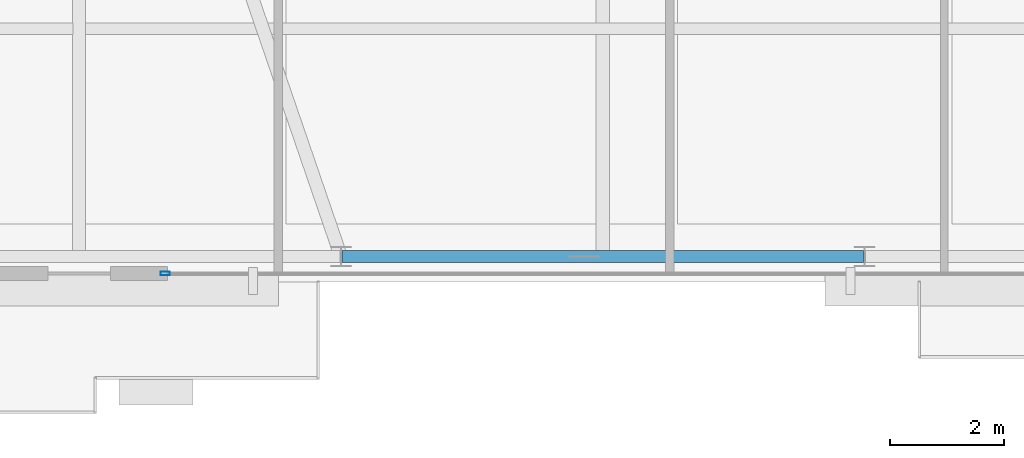
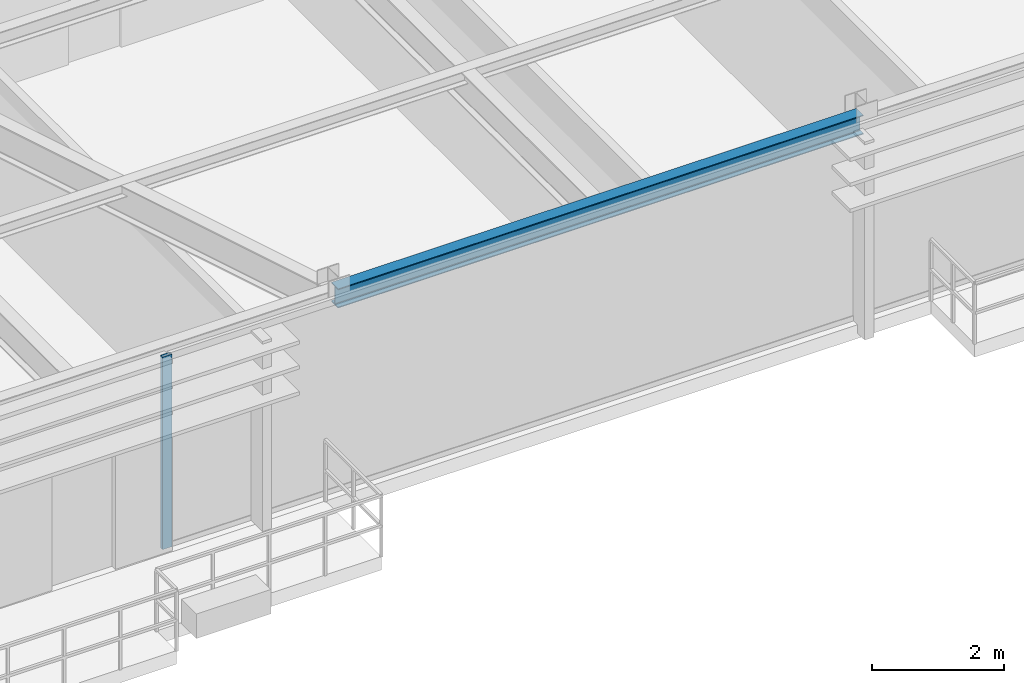
# One storey, part 8 of 30: 1 beam, 1 member, 1 element without a shape of its own.
"""IFC4 building model written with IfcOpenShell, lengths in metres."""

from ifc_helpers import new_model, si_unit, direction, frame, origin, origin_2d, place, context, subcontext, project, spatial, hollow_rectangle, i_section, extrude, source, transform, mapped, material, layer, layer_set, material_profile, profile_set, type_object, type_shapes, element, aggregate, save


model = new_model("IFC4")

# Units and contexts
model_context = context("Model", 3, precision=1e-05, world=origin(), true_north=direction((0.0, 1.0)))
body_context = subcontext(model_context, "Body", "Model", "MODEL_VIEW")
ifc_project = project(units=[si_unit("LENGTHUNIT", "METRE"), si_unit("AREAUNIT", "SQUARE_METRE"), si_unit("VOLUMEUNIT", "CUBIC_METRE"), si_unit("PLANEANGLEUNIT", "RADIAN"), si_unit("MASSUNIT", "GRAM", prefix="KILO")], contexts=[model_context])

# Site, building, storey
site_placement = place(None, origin())
site = spatial("IfcSite", under=ifc_project, at=site_placement, CompositionType="ELEMENT")
building_placement = place(site_placement, origin())
building = spatial("IfcBuilding", under=site, at=building_placement, Name="Varnel Quay Broadcast Tower", CompositionType="ELEMENT")
storey_placement = place(building_placement, frame((0.0, 0.0, 247.0)))
storey = spatial("IfcBuildingStorey", under=building, at=storey_placement, Name="L61", CompositionType="ELEMENT", Elevation=247.0)

# Beam
ifc_material_1 = material(Name="Structural Steel CSA G40.21 350W", Category="steel")
ifc_material_profile_1 = material_profile(ifc_material_1, i_section(OverallWidth=0.205078125, OverallDepth=0.35400390625, WebThickness=0.009521484375, FlangeThickness=0.016845703125, FilletRadius=0.012939453125, at=origin_2d()), Name="W360X79")
ifc_profile_set_1 = profile_set([ifc_material_profile_1], Name="Structural Steel CSA G40.21 350W")
beam_type = type_object("IfcBeamType", Name="Beam_W360X79", PredefinedType="SPANDREL", material=ifc_profile_set_1)
shared_shape_1 = source(origin(), body_context, "Body", "SweptSolid", [
    extrude(i_section(OverallWidth=0.205078125, OverallDepth=0.35400390625, WebThickness=0.009521484375, FlangeThickness=0.016845703125, FilletRadius=0.012939453125, at=origin_2d()), origin(), (0.0, 0.0, 1.0), 9.16015625),
])
type_shapes(beam_type, [shared_shape_1])
beam_placement = place(storey_placement, frame((29.419921875, 10.64990234375, 3.373046875), z_axis=(1.0, 0.0, 0.0), x_axis=(0.0, 1.0, 0.0)))
element("IfcBeam", 1, at=beam_placement, inside=storey, type_object=beam_type, Name="L61 South Spandrel TC-S2-TC-S3", PredefinedType="SPANDREL", context=body_context, shape_type="MappedRepresentation", body=[
    mapped(shared_shape_1, transform((0.0, 0.0, 0.0), x_axis=(1.0, 0.0, 0.0), y_axis=(0.0, 1.0, 0.0), z_axis=(0.0, 0.0, 1.0), scale=1.0)),
])

# Curtain wall, member
ifc_material_2 = material(Name="Anodised Bronze Aluminium 6063-T6", Category="aluminium")
ifc_layer = layer(ifc_material_2, 0.18994140625, Name="Anodised Bronze Aluminium 6063-T6")
ifc_layer_set = layer_set([ifc_layer], Name="Anodised Bronze Aluminium 6063-T6")
curtain_wall_type = type_object("IfcCurtainWallType", Name="CW_UpperTower", PredefinedType="NOTDEFINED", material=ifc_layer_set)
curtain_wall_placement = place(storey_placement, origin())
curtain_wall = element("IfcCurtainWall", 2, at=curtain_wall_placement, inside=storey, type_object=curtain_wall_type, Name="L61 South Unitised Curtain Wall 2", PredefinedType="NOTDEFINED")
ifc_material_profile_2 = material_profile(ifc_material_2, hollow_rectangle(XDim=0.06494140625, YDim=0.1650390625, WallThickness=0.00341796875, at=origin_2d()), Name="ALU65X165X3.5")
ifc_profile_set_2 = profile_set([ifc_material_profile_2], Name="Anodised Bronze Aluminium 6063-T6")
member_type = type_object("IfcMemberType", Name="Mull_CWS-03", PredefinedType="MULLION", material=ifc_profile_set_2)
shared_shape_2 = source(origin(), body_context, "Body", "SweptSolid", [
    extrude(hollow_rectangle(XDim=0.06494140625, YDim=0.1650390625, WallThickness=0.00341796875, at=origin_2d()), origin(), (0.0, 0.0, 1.0), 3.550048828125),
])
type_shapes(member_type, [shared_shape_2])
member_placement = place(storey_placement, frame((26.3125, 10.35009765625, 0.0), z_axis=(0.0, 0.0, 1.0), x_axis=(0.0, 1.0, 0.0)))
member = element("IfcMember", 3, at=member_placement, type_object=member_type, Name="CWS-03 mullion 1", PredefinedType="MULLION", context=body_context, shape_type="MappedRepresentation", body=[
    mapped(shared_shape_2, transform((0.0, 0.0, 0.0), x_axis=(1.0, 0.0, 0.0), y_axis=(0.0, 1.0, 0.0), z_axis=(0.0, 0.0, 1.0), scale=1.0)),
])
aggregate(curtain_wall, [member])

save(model, "model.ifc")
